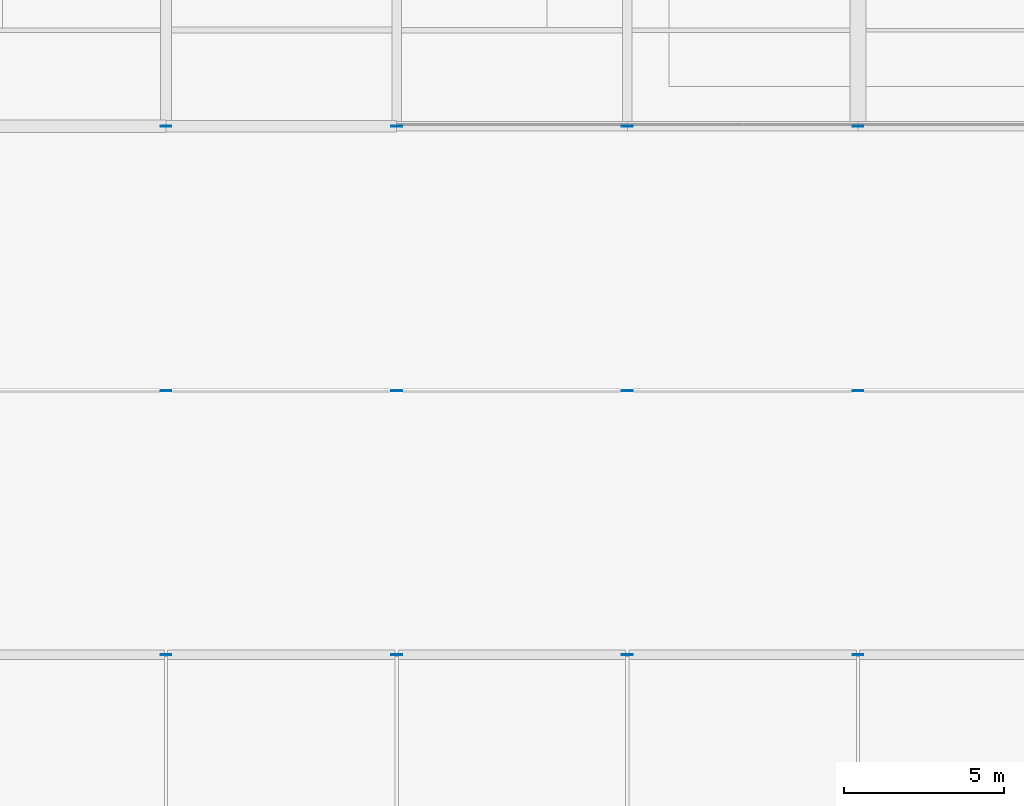
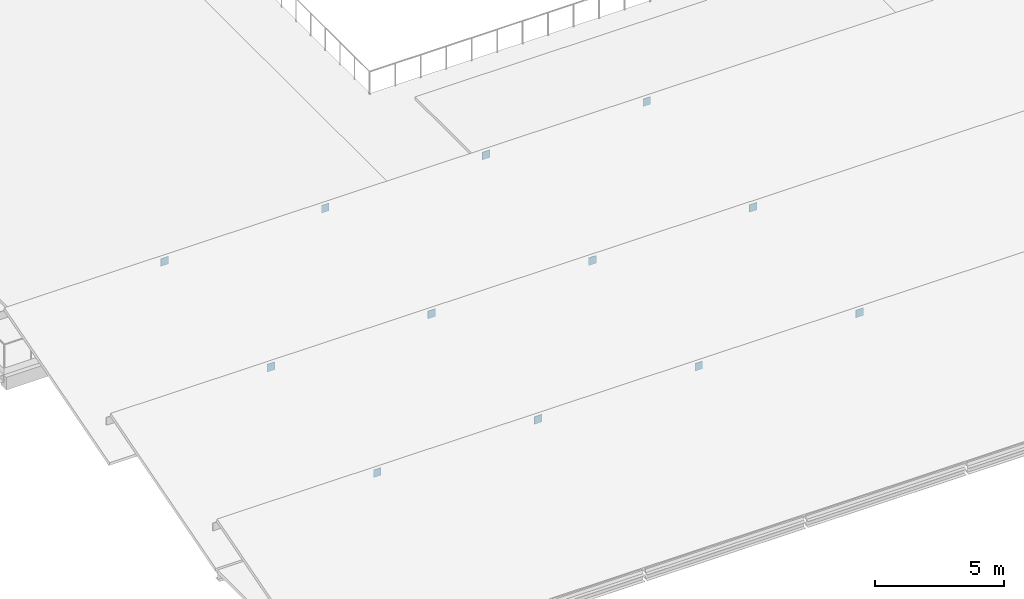
# One storey, part 24 of 54: 12 plates.
"""IFC4 building model written with IfcOpenShell, lengths in metres."""

from ifc_helpers import new_model, si_unit, direction, frame, origin, origin_2d, place, context, subcontext, project, spatial, rectangle, extrude, material, layer, layer_set, type_object, element, save


model = new_model("IFC4")

# Units and contexts
model_context = context("Model", 3, precision=1e-05, world=origin(), true_north=direction((0.0, 1.0)))
body_context = subcontext(model_context, "Body", "Model", "MODEL_VIEW")
ifc_project = project(units=[si_unit("LENGTHUNIT", "METRE"), si_unit("AREAUNIT", "SQUARE_METRE"), si_unit("VOLUMEUNIT", "CUBIC_METRE"), si_unit("PLANEANGLEUNIT", "RADIAN"), si_unit("MASSUNIT", "GRAM", prefix="KILO")], contexts=[model_context])

# Site, building, storey
site_placement = place(None, origin())
site = spatial("IfcSite", under=ifc_project, at=site_placement, CompositionType="ELEMENT")
building_placement = place(site_placement, origin())
building = spatial("IfcBuilding", under=site, at=building_placement, Name="Sundgate Opera House", CompositionType="ELEMENT")
storey_placement = place(building_placement, frame((0.0, 0.0, 16.800048828125)))
storey = spatial("IfcBuildingStorey", under=building, at=storey_placement, Name="L03", CompositionType="ELEMENT", Elevation=16.800048828125)

# Plates
ifc_material = material(Name="Steel S355J2", Category="steel")
ifc_layer = layer(ifc_material, 0.02587890625)
ifc_layer_set = layer_set([ifc_layer], Name="Steel S355J2")
plate_type = type_object("IfcPlateType", Name="PT-BAS-26", PredefinedType="USERDEFINED", material=ifc_layer_set)
for number, where, z_axis, x_axis, name in (
    (1, (102.60009765625, 16.5, 2.3701171875), (0.0, 0.0, 1.0), (1.0, 0.0, 0.0), "Sawtooth Rafter End Cap PT0795"),
    (2, (109.800048828125, 16.5, 2.3701171875), (0.0, 0.0, 1.0), (1.0, 0.0, 0.0), "Sawtooth Rafter End Cap PT0797"),
    (3, (117.0, 16.5, 2.3701171875), (0.0, 0.0, 1.0), (1.0, 0.0, 0.0), "Sawtooth Rafter End Cap PT0799"),
    (4, (124.199951171875, 16.5, 2.3701171875), (0.0, 0.0, 1.0), (1.0, 0.0, 0.0), "Sawtooth Rafter End Cap PT0801"),
    (5, (102.60009765625, 24.75, 2.3701171875), (0.0, 0.0, 1.0), (1.0, 0.0, 0.0), "Sawtooth Rafter End Cap PT0813"),
    (6, (109.800048828125, 24.75, 2.3701171875), (0.0, 0.0, 1.0), (1.0, 0.0, 0.0), "Sawtooth Rafter End Cap PT0815"),
    (7, (117.0, 24.75, 2.3701171875), (0.0, 0.0, 1.0), (1.0, 0.0, 0.0), "Sawtooth Rafter End Cap PT0817"),
    (8, (124.199951171875, 24.75, 2.3701171875), (0.0, 0.0, 1.0), (1.0, 0.0, 0.0), "Sawtooth Rafter End Cap PT0819"),
    (9, (102.60009765625, 33.0, 2.3701171875), (0.0, 0.0, 1.0), (1.0, 0.0, 0.0), "Sawtooth Rafter End Cap PT0831"),
    (10, (109.800048828125, 33.0, 2.3701171875), (0.0, 0.0, 1.0), (1.0, 0.0, 0.0), "Sawtooth Rafter End Cap PT0833"),
    (11, (117.0, 33.0, 2.3701171875), (0.0, 0.0, 1.0), (1.0, 0.0, 0.0), "Sawtooth Rafter End Cap PT0835"),
    (12, (124.199951171875, 33.0, 2.3701171875), (0.0, 0.0, 1.0), (1.0, 0.0, 0.0), "Sawtooth Rafter End Cap PT0837"),
):
    element("IfcPlate", number, at=place(storey_placement, frame(where, z_axis=z_axis, x_axis=x_axis)), inside=storey, type_object=plate_type, Name=name, ObjectType="BASE PLATE", PredefinedType="USERDEFINED", context=body_context, shape_type="SweptSolid", body=[
        extrude(rectangle(XDim=0.340087890625, YDim=0.02587890625, at=origin_2d()), origin(), (0.0, 0.0, 1.0), 0.360107421875),
    ])

save(model, "model.ifc")
